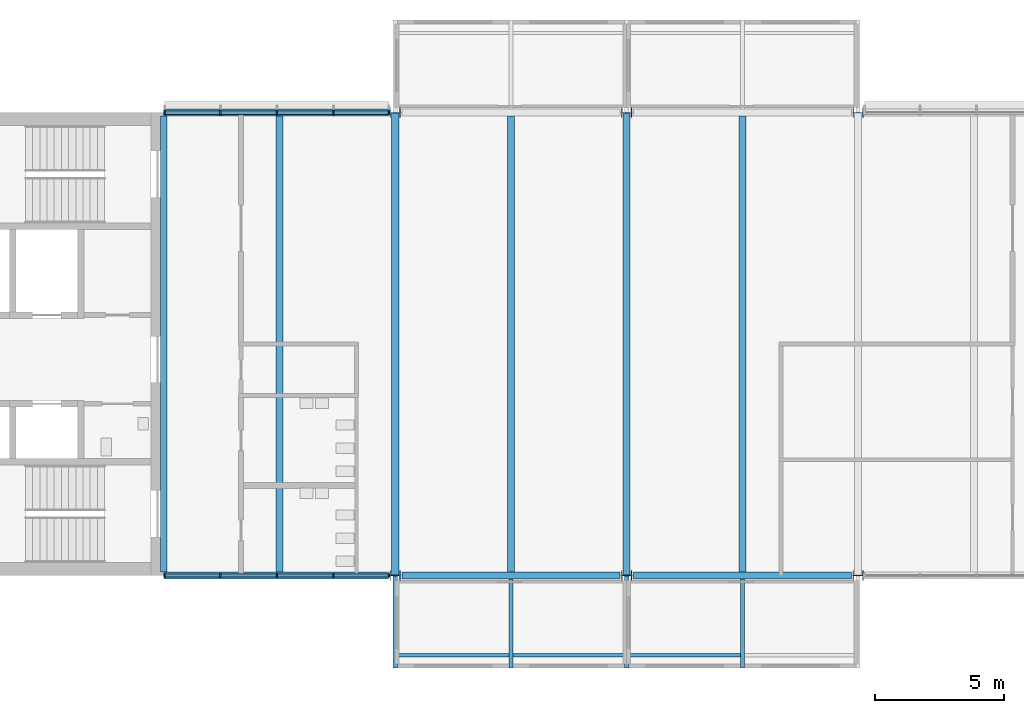
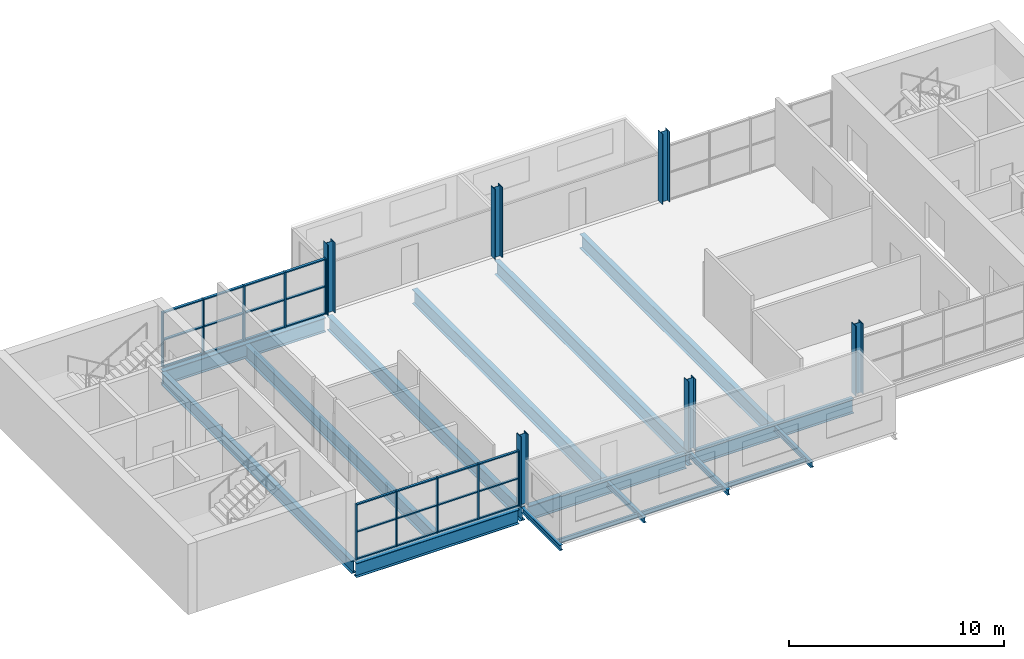
# One storey, part 1 of 10: 34 members, 17 beams, 6 columns, 2 elements without a shape of their own.
"""IFC4 building model written with IfcOpenShell, lengths in metres."""

import ifcopenshell
import ifcopenshell.guid

model = None  # the IFC model being written
_history = None  # IfcOwnerHistory: only IFC2X3 demands one
_inside = {}  # id of a spatial element -> (the spatial element, [elements in it])
_under = {}  # id of a project, library or spatial element -> (it, [spatial elements below it])
_declared = {}  # id of a project -> (the project, [libraries it declares])
_typed = {}  # id of a type object -> (the type object, [elements of that type])
_made_of = {}  # id of a material, layer set ... -> (it, [elements and type objects made of it])


def new_model(schema):
    """Start an empty IFC model of exactly this schema.

    Asked for "IFC4X3", IfcOpenShell would pick the latest addendum, in which some entities
    have other attributes; the version numbers below select the first issue.
    IFC2X3 requires an IfcOwnerHistory on every rooted entity: one is made here for all.
    """
    global model, _history
    if schema == "IFC4X3":
        model = ifcopenshell.file(schema_version=(4, 3, 0, 0))
    else:
        model = ifcopenshell.file(schema=schema)
    _inside.clear()
    _under.clear()
    _declared.clear()
    _typed.clear()
    _made_of.clear()
    _history = None
    if model.schema == "IFC2X3":
        org = make("IfcOrganization", Name="unknown")
        user = make(
            "IfcPersonAndOrganization",
            ThePerson=make("IfcPerson", FamilyName="unknown"),
            TheOrganization=org,
        )
        app = make(
            "IfcApplication",
            ApplicationDeveloper=org,
            Version="unknown",
            ApplicationFullName="unknown",
            ApplicationIdentifier="unknown",
        )
        _history = make(
            "IfcOwnerHistory",
            OwningUser=user,
            OwningApplication=app,
            ChangeAction="ADDED",
            CreationDate=0,
        )
    return model


def make(cls, **values):
    """One entity of the class cls with the attributes given. An attribute that is None is left unset."""
    return model.create_entity(
        cls, **{name: value for name, value in values.items() if value is not None}
    )


def rooted(cls, **values):
    """An entity with a GlobalId (a new one), such as an element, a storey or a relation."""
    return make(cls, GlobalId=ifcopenshell.guid.new(), OwnerHistory=_history, **values)


def si_unit(unit_type, name, prefix=None):
    """IfcSIUnit, for example si_unit("LENGTHUNIT", "METRE", prefix="MILLI")."""
    return make("IfcSIUnit", UnitType=unit_type, Prefix=prefix, Name=name)


def assignment(units):
    """IfcUnitAssignment: the units of a project."""
    return None if units is None else make("IfcUnitAssignment", Units=units)


def point(xyz):
    """IfcCartesianPoint."""
    return None if xyz is None else make("IfcCartesianPoint", Coordinates=xyz)


def direction(xyz):
    """IfcDirection."""
    return None if xyz is None else make("IfcDirection", DirectionRatios=xyz)


def frame(location, z_axis=None, x_axis=None):
    """IfcAxis2Placement3D, a coordinate frame: its origin and axes. An axis left out is left unset."""
    return make(
        "IfcAxis2Placement3D",
        Location=point(location),
        Axis=direction(z_axis),
        RefDirection=direction(x_axis),
    )


def frame_2d(location, x_axis=None):
    """IfcAxis2Placement2D, a coordinate frame in the plane: its origin and x axis."""
    return make(
        "IfcAxis2Placement2D", Location=point(location), RefDirection=direction(x_axis)
    )


def origin():
    """The frame at (0, 0, 0) with its axes left unset."""
    return frame((0.0, 0.0, 0.0))


def origin_2d():
    """The frame at (0, 0) in the plane with its x axis left unset."""
    return frame_2d((0.0, 0.0))


def place(relative_to, where):
    """IfcLocalPlacement: puts the frame where relative to a parent placement (None: the world)."""
    return make(
        "IfcLocalPlacement", PlacementRelTo=relative_to, RelativePlacement=where
    )


def context(
    kind, dimensions, precision=None, world=None, true_north=None, identifier=None
):
    """IfcGeometricRepresentationContext, for example the 3D "Model" context."""
    return make(
        "IfcGeometricRepresentationContext",
        ContextIdentifier=identifier,
        ContextType=kind,
        CoordinateSpaceDimension=dimensions,
        Precision=precision,
        WorldCoordinateSystem=world,
        TrueNorth=true_north,
    )


def subcontext(parent, identifier, kind, view, scale=None):
    """IfcGeometricRepresentationSubContext, for example "Body" below "Model"."""
    return make(
        "IfcGeometricRepresentationSubContext",
        ContextIdentifier=identifier,
        ContextType=kind,
        ParentContext=parent,
        TargetScale=scale,
        TargetView=view,
    )


def project(units=None, contexts=None):
    """IfcProject with its units and contexts."""
    return rooted(
        "IfcProject",
        Name="project",
        RepresentationContexts=contexts,
        UnitsInContext=assignment(units),
    )


def spatial(cls, under=None, at=None, **own):
    """A site, building, storey or space (cls), placed at a placement, below another one or the project."""
    s = rooted(cls, ObjectPlacement=at, **own)
    if under is not None:
        _under.setdefault(under.id(), (under, []))[1].append(s)
    return s


def profile(cls, at=None, kind="AREA", **sizes):
    """A parametric profile (cls). Its sizes go by their IFC names, for example OverallWidth=200.0."""
    return make(cls, ProfileType=kind, Position=at, **sizes)


def rectangle(**sizes):
    """IfcRectangleProfileDef."""
    return profile("IfcRectangleProfileDef", **sizes)


def i_section(**sizes):
    """IfcIShapeProfileDef."""
    return profile("IfcIShapeProfileDef", **sizes)


def extrude(swept, where, along, depth):
    """IfcExtrudedAreaSolid: the profile swept, set in the frame where, extruded along a direction by depth."""
    return make(
        "IfcExtrudedAreaSolid",
        SweptArea=swept,
        Position=where,
        ExtrudedDirection=direction(along),
        Depth=depth,
    )


def shape(context_of_items, identifier, shape_type, items):
    """IfcShapeRepresentation: the items that make up one representation, for example the "Body"."""
    return make(
        "IfcShapeRepresentation",
        ContextOfItems=context_of_items,
        RepresentationIdentifier=identifier,
        RepresentationType=shape_type,
        Items=items,
    )


def material(Name=None, Category=None):
    """IfcMaterial."""
    return make("IfcMaterial", Name=Name, Category=Category)


def layer(
    of_material, thickness, ventilated=None, Name=None, Category=None, Priority=None
):
    """IfcMaterialLayer: one layer of a wall or slab, of a material (None: an air gap)."""
    return make(
        "IfcMaterialLayer",
        Material=of_material,
        LayerThickness=thickness,
        IsVentilated=ventilated,
        Name=Name,
        Category=Category,
        Priority=Priority,
    )


def layer_set(layers, Name=None):
    """IfcMaterialLayerSet."""
    return make("IfcMaterialLayerSet", MaterialLayers=layers, LayerSetName=Name)


def material_profile(
    of_material, cross_section, Name=None, Category=None, Priority=None
):
    """IfcMaterialProfile: a cross section and its material."""
    return make(
        "IfcMaterialProfile",
        Name=Name,
        Material=of_material,
        Profile=cross_section,
        Priority=Priority,
        Category=Category,
    )


def profile_set(profiles, Name=None, composite=None):
    """IfcMaterialProfileSet."""
    return make(
        "IfcMaterialProfileSet",
        Name=Name,
        MaterialProfiles=profiles,
        CompositeProfile=composite,
    )


def made_of(thing, what):
    """Note that an element or type object is made of a material, layer set ...; save() writes the relation."""
    if what is not None:
        _made_of.setdefault(what.id(), (what, []))[1].append(thing)
    return thing


def type_object(cls, material=None, **own):
    """A type object (cls), such as IfcWallType, which elements share."""
    return made_of(rooted(cls, **own), material)


def element(
    cls,
    number,
    at=None,
    inside=None,
    cuts=None,
    type_object=None,
    material=None,
    context=None,
    identifier="Body",
    shape_type=None,
    held_by="IfcProductDefinitionShape",
    body=None,
    shapes=None,
    **own,
):
    """One element of the class cls, such as IfcWall. Its Tag is "e" and its number.

    at: its placement. inside: the storey or other place that contains it. cuts: it is an
    opening in that element (IfcRelVoidsElement). A single representation is given by context,
    identifier, shape_type and body (its items); several are given by shapes. held_by: the class
    of the entity that holds the representations. save() writes the other relations.
    """
    e = rooted(cls, Tag="e%d" % number, ObjectPlacement=at, **own)
    if body is not None:
        shapes = [shape(context, identifier, shape_type, body)]
    if shapes is not None:
        e.Representation = make(held_by, Representations=shapes)
    if inside is not None:
        _inside.setdefault(inside.id(), (inside, []))[1].append(e)
    if cuts is not None:
        rooted(
            "IfcRelVoidsElement", RelatingBuildingElement=cuts, RelatedOpeningElement=e
        )
    if type_object is not None:
        _typed.setdefault(type_object.id(), (type_object, []))[1].append(e)
    return made_of(e, material)


def aggregate(whole, parts):
    """IfcRelAggregates: a whole, such as a stair, and the parts it consists of."""
    return rooted("IfcRelAggregates", RelatingObject=whole, RelatedObjects=parts)


def save(model, path):
    """Write the relations noted so far, then the file.

    IfcRelAggregates (storeys below a building ...), IfcRelContainedInSpatialStructure (elements
    in a storey), IfcRelDefinesByType, IfcRelAssociatesMaterial and IfcRelDeclares: one each for
    every whole, place, type object, material and project.
    """
    for whole, parts in _under.values():
        aggregate(whole, parts)
    for where, things in _inside.values():
        rooted(
            "IfcRelContainedInSpatialStructure",
            RelatedElements=things,
            RelatingStructure=where,
        )
    for kind, things in _typed.values():
        rooted("IfcRelDefinesByType", RelatedObjects=things, RelatingType=kind)
    for what, things in _made_of.values():
        rooted("IfcRelAssociatesMaterial", RelatedObjects=things, RelatingMaterial=what)
    for by, libraries in _declared.values():
        rooted("IfcRelDeclares", RelatingContext=by, RelatedDefinitions=libraries)
    model.write(path)


model = new_model("IFC4")

# Units and contexts
model_context = context("Model", 3, precision=1e-05, world=origin(), true_north=direction((0.0, 1.0)))
body_context = subcontext(model_context, "Body", "Model", "MODEL_VIEW")
ifc_project = project(units=[si_unit("LENGTHUNIT", "METRE"), si_unit("AREAUNIT", "SQUARE_METRE"), si_unit("VOLUMEUNIT", "CUBIC_METRE"), si_unit("PLANEANGLEUNIT", "RADIAN"), si_unit("MASSUNIT", "GRAM", prefix="KILO")], contexts=[model_context])

# Site, building, storey
site_placement = place(None, origin())
site = spatial("IfcSite", under=ifc_project, at=site_placement, CompositionType="ELEMENT")
building_placement = place(site_placement, origin())
building = spatial("IfcBuilding", under=site, at=building_placement, Name="Corbel Yard City Hall", CompositionType="ELEMENT")
storey_placement = place(building_placement, frame((0.0, 0.0, 27.199951171875)))
storey = spatial("IfcBuildingStorey", under=building, at=storey_placement, Name="L06", CompositionType="ELEMENT", Elevation=27.199951171875)

# Columns
ifc_material_1 = material(Name="Steel Grade 350", Category="steel")
ifc_material_profile_1 = material_profile(ifc_material_1, i_section(OverallWidth=0.39990234375, OverallDepth=0.4140625, WebThickness=0.02490234375, FlangeThickness=0.031982421875, at=origin_2d()), Name="400WC270")
ifc_profile_set_1 = profile_set([ifc_material_profile_1], Name="Steel Grade 350")
column_type = type_object("IfcColumnType", Name="Column 400WC270", PredefinedType="COLUMN", material=ifc_profile_set_1)
for number, where, z_axis, x_axis, name in (
    (1, (18.0, 99.0, 0.0), (0.0, 0.0, 1.0), (0.0, 1.0, 0.0), "Column 400WC270 L/3 L06"),
    (2, (18.0, 117.0, 0.0), (0.0, 0.0, 1.0), (0.0, 1.0, 0.0), "Column 400WC270 N/3 L06"),
    (3, (27.0, 99.0, 0.0), (0.0, 0.0, 1.0), (0.0, 1.0, 0.0), "Column 400WC270 L/4 L06"),
    (4, (27.0, 117.0, 0.0), (0.0, 0.0, 1.0), (0.0, 1.0, 0.0), "Column 400WC270 N/4 L06"),
    (5, (36.0, 99.0, 0.0), (0.0, 0.0, 1.0), (0.0, 1.0, 0.0), "Column 400WC270 L/5 L06"),
    (6, (36.0, 117.0, 0.0), (0.0, 0.0, 1.0), (0.0, 1.0, 0.0), "Column 400WC270 N/5 L06"),
):
    element("IfcColumn", number, at=place(storey_placement, frame(where, z_axis=z_axis, x_axis=x_axis)), inside=storey, type_object=column_type, Name=name, PredefinedType="COLUMN", context=body_context, shape_type="SweptSolid", body=[
        extrude(i_section(OverallWidth=0.39990234375, OverallDepth=0.4140625, WebThickness=0.02490234375, FlangeThickness=0.031982421875, at=origin_2d()), origin(), (0.0, 0.0, 1.0), 4.0),
    ])

# Beams
ifc_material_profile_2 = material_profile(ifc_material_1, i_section(OverallWidth=0.27490234375, OverallDepth=0.81005859375, WebThickness=0.010009765625, FlangeThickness=0.02490234375, at=origin_2d()), Name="800WB168")
ifc_profile_set_2 = profile_set([ifc_material_profile_2], Name="Steel Grade 350")
beam_type_1 = type_object("IfcBeamType", Name="Edge beam 800WB168", PredefinedType="BEAM", material=ifc_profile_set_2)
beam_1_placement = place(storey_placement, frame((9.0, 99.0, -0.554931640625), z_axis=(1.0, 0.0, 0.0), x_axis=(0.0, 1.0, 0.0)))
element("IfcBeam", 7, at=beam_1_placement, inside=storey, type_object=beam_type_1, Name="Edge beam 800WB168 EB3 L06tower", PredefinedType="BEAM", context=body_context, shape_type="SweptSolid", body=[
    extrude(i_section(OverallWidth=0.27490234375, OverallDepth=0.81005859375, WebThickness=0.010009765625, FlangeThickness=0.02490234375, at=origin_2d()), origin(), (0.0, 0.0, 1.0), 8.742919921875),
])
for number, where, z_axis, x_axis, name in (
    (8, (18.257080078125, 99.0, -0.554931640625), (1.0, 0.0, 0.0), (0.0, 1.0, 0.0), "Edge beam 800WB168 EB3 L06tower"),
    (9, (27.257080078125, 99.0, -0.554931640625), (1.0, 0.0, 0.0), (0.0, 1.0, 0.0), "Edge beam 800WB168 EB3 L06tower"),
):
    element("IfcBeam", number, at=place(storey_placement, frame(where, z_axis=z_axis, x_axis=x_axis)), inside=storey, type_object=beam_type_1, Name=name, PredefinedType="BEAM", context=body_context, shape_type="SweptSolid", body=[
        extrude(i_section(OverallWidth=0.27490234375, OverallDepth=0.81005859375, WebThickness=0.010009765625, FlangeThickness=0.02490234375, at=origin_2d()), origin(), (0.0, 0.0, 1.0), 8.48583984375),
    ])
beam_2_placement = place(storey_placement, frame((9.0, 117.0, -0.554931640625), z_axis=(1.0, 0.0, 0.0), x_axis=(0.0, 1.0, 0.0)))
element("IfcBeam", 10, at=beam_2_placement, inside=storey, type_object=beam_type_1, Name="Edge beam 800WB168 EB3 L06tower", PredefinedType="BEAM", context=body_context, shape_type="SweptSolid", body=[
    extrude(i_section(OverallWidth=0.27490234375, OverallDepth=0.81005859375, WebThickness=0.010009765625, FlangeThickness=0.02490234375, at=origin_2d()), origin(), (0.0, 0.0, 1.0), 8.742919921875),
])
ifc_material_profile_3 = material_profile(ifc_material_1, i_section(OverallWidth=0.27490234375, OverallDepth=0.800048828125, WebThickness=0.010009765625, FlangeThickness=0.02001953125, at=origin_2d()), Name="800WB146")
ifc_profile_set_3 = profile_set([ifc_material_profile_3], Name="Steel Grade 350")
beam_type_2 = type_object("IfcBeamType", Name="Long-span beam 800WB146", PredefinedType="BEAM", material=ifc_profile_set_3)
for number, where, z_axis, x_axis, name in (
    (11, (18.0, 99.012451171875, -0.550048828125), (0.0, 1.0, 0.0), (-1.0, 0.0, 0.0), "Long-span beam 800WB146 SB8 L06tower"),
    (12, (27.0, 99.012451171875, -0.550048828125), (0.0, 1.0, 0.0), (-1.0, 0.0, 0.0), "Long-span beam 800WB146 SB8 L06tower"),
):
    element("IfcBeam", number, at=place(storey_placement, frame(where, z_axis=z_axis, x_axis=x_axis)), inside=storey, type_object=beam_type_2, Name=name, PredefinedType="BEAM", context=body_context, shape_type="SweptSolid", body=[
        extrude(i_section(OverallWidth=0.27490234375, OverallDepth=0.800048828125, WebThickness=0.010009765625, FlangeThickness=0.02001953125, at=origin_2d()), origin(), (0.0, 0.0, 1.0), 17.97509765625),
    ])
ifc_material_profile_4 = material_profile(ifc_material_1, i_section(OverallWidth=0.25, OverallDepth=0.7099609375, WebThickness=0.010009765625, FlangeThickness=0.02490234375, at=origin_2d()), Name="700WB150")
ifc_profile_set_4 = profile_set([ifc_material_profile_4], Name="Steel Grade 350")
beam_type_3 = type_object("IfcBeamType", Name="Long-span edge beam 700WB150", PredefinedType="BEAM", material=ifc_profile_set_4)
beam_3_placement = place(storey_placement, frame((9.0, 99.137451171875, -0.5048828125), z_axis=(0.0, 1.0, 0.0), x_axis=(-1.0, 0.0, 0.0)))
element("IfcBeam", 13, at=beam_3_placement, inside=storey, type_object=beam_type_3, Name="Long-span edge beam 700WB150 EB8 L06tower", PredefinedType="BEAM", context=body_context, shape_type="SweptSolid", body=[
    extrude(i_section(OverallWidth=0.25, OverallDepth=0.7099609375, WebThickness=0.010009765625, FlangeThickness=0.02490234375, at=origin_2d()), origin(), (0.0, 0.0, 1.0), 17.72509765625),
])
ifc_material_profile_5 = material_profile(ifc_material_1, i_section(OverallWidth=0.27490234375, OverallDepth=0.800048828125, WebThickness=0.010009765625, FlangeThickness=0.02001953125, at=origin_2d()), Name="800WB146")
ifc_profile_set_5 = profile_set([ifc_material_profile_5], Name="Steel Grade 350")
beam_type_4 = type_object("IfcBeamType", Name="Long-span secondary beam 800WB146", PredefinedType="JOIST", material=ifc_profile_set_5)
for number, where, z_axis, x_axis, name in (
    (14, (13.5, 99.137451171875, -0.550048828125), (0.0, 1.0, 0.0), (-1.0, 0.0, 0.0), "Long-span secondary beam 800WB146 SB7 L06tower"),
    (15, (22.5, 99.137451171875, -0.550048828125), (0.0, 1.0, 0.0), (-1.0, 0.0, 0.0), "Long-span secondary beam 800WB146 SB7 L06tower"),
    (16, (31.5, 99.137451171875, -0.550048828125), (0.0, 1.0, 0.0), (-1.0, 0.0, 0.0), "Long-span secondary beam 800WB146 SB7 L06tower"),
):
    element("IfcBeam", number, at=place(storey_placement, frame(where, z_axis=z_axis, x_axis=x_axis)), inside=storey, type_object=beam_type_4, Name=name, PredefinedType="JOIST", context=body_context, shape_type="SweptSolid", body=[
        extrude(i_section(OverallWidth=0.27490234375, OverallDepth=0.800048828125, WebThickness=0.010009765625, FlangeThickness=0.02001953125, at=origin_2d()), origin(), (0.0, 0.0, 1.0), 17.72509765625),
    ])

# Curtain wall, members
ifc_material_2 = material(Name="Aluminium extrusion", Category="aluminium")
ifc_layer_1 = layer(ifc_material_2, 0.14990234375)
ifc_layer_set_1 = layer_set([ifc_layer_1], Name="Aluminium extrusion")
curtain_wall_type_1 = type_object("IfcCurtainWallType", Name="CW2", PredefinedType="USERDEFINED", material=ifc_layer_set_1)
curtain_wall_1_placement = place(storey_placement, origin())
curtain_wall_1 = element("IfcCurtainWall", 17, at=curtain_wall_1_placement, inside=storey, type_object=curtain_wall_type_1, Name="Curtain wall CW2 L06", ObjectType="CURTAIN WALL", PredefinedType="USERDEFINED")
ifc_material_profile_6 = material_profile(ifc_material_2, rectangle(XDim=0.14990234375, YDim=0.06494140625, at=origin_2d()), Name="150x65")
ifc_profile_set_6 = profile_set([ifc_material_profile_6], Name="Aluminium extrusion")
member_type_1 = type_object("IfcMemberType", Name="ML2", PredefinedType="MULLION", material=ifc_profile_set_6)
member_1_placement = place(storey_placement, frame((9.032470703125, 99.0, 0.0), z_axis=(0.0, 0.0, 1.0), x_axis=(0.0, 1.0, 0.0)))
member_1 = element("IfcMember", 18, at=member_1_placement, type_object=member_type_1, Name="CW2 mullion 1", PredefinedType="MULLION", context=body_context, shape_type="SweptSolid", body=[
    extrude(rectangle(XDim=0.14990234375, YDim=0.06494140625, at=origin_2d()), origin(), (0.0, 0.0, 1.0), 3.150146484375),
])
member_2_placement = place(storey_placement, frame((11.1982421875, 99.0, 0.0), z_axis=(0.0, 0.0, 1.0), x_axis=(0.0, 1.0, 0.0)))
member_2 = element("IfcMember", 19, at=member_2_placement, type_object=member_type_1, Name="CW2 mullion 2", PredefinedType="MULLION", context=body_context, shape_type="SweptSolid", body=[
    extrude(rectangle(XDim=0.14990234375, YDim=0.06494140625, at=origin_2d()), origin(), (0.0, 0.0, 1.0), 3.150146484375),
])
member_3_placement = place(storey_placement, frame((13.396484375, 99.0, 0.0), z_axis=(0.0, 0.0, 1.0), x_axis=(0.0, 1.0, 0.0)))
member_3 = element("IfcMember", 20, at=member_3_placement, type_object=member_type_1, Name="CW2 mullion 3", PredefinedType="MULLION", context=body_context, shape_type="SweptSolid", body=[
    extrude(rectangle(XDim=0.14990234375, YDim=0.06494140625, at=origin_2d()), origin(), (0.0, 0.0, 1.0), 3.150146484375),
])
member_4_placement = place(storey_placement, frame((15.5947265625, 99.0, 0.0), z_axis=(0.0, 0.0, 1.0), x_axis=(0.0, 1.0, 0.0)))
member_4 = element("IfcMember", 21, at=member_4_placement, type_object=member_type_1, Name="CW2 mullion 4", PredefinedType="MULLION", context=body_context, shape_type="SweptSolid", body=[
    extrude(rectangle(XDim=0.14990234375, YDim=0.06494140625, at=origin_2d()), origin(), (0.0, 0.0, 1.0), 3.150146484375),
])
member_5_placement = place(storey_placement, frame((17.760498046875, 99.0, 0.0), z_axis=(0.0, 0.0, 1.0), x_axis=(0.0, 1.0, 0.0)))
member_5 = element("IfcMember", 22, at=member_5_placement, type_object=member_type_1, Name="CW2 mullion 5", PredefinedType="MULLION", context=body_context, shape_type="SweptSolid", body=[
    extrude(rectangle(XDim=0.14990234375, YDim=0.06494140625, at=origin_2d()), origin(), (0.0, 0.0, 1.0), 3.150146484375),
])

ifc_layer_2 = layer(ifc_material_2, 0.179931640625)
ifc_layer_set_2 = layer_set([ifc_layer_2], Name="Aluminium extrusion")
curtain_wall_type_2 = type_object("IfcCurtainWallType", Name="CW6", PredefinedType="USERDEFINED", material=ifc_layer_set_2)
curtain_wall_2_placement = place(storey_placement, origin())
curtain_wall_2 = element("IfcCurtainWall", 23, at=curtain_wall_2_placement, inside=storey, type_object=curtain_wall_type_2, Name="Curtain wall CW6 L06", ObjectType="CURTAIN WALL", PredefinedType="USERDEFINED")
ifc_material_profile_7 = material_profile(ifc_material_2, rectangle(XDim=0.179931640625, YDim=0.06494140625, at=origin_2d()), Name="180x65")
ifc_profile_set_7 = profile_set([ifc_material_profile_7], Name="Aluminium extrusion")
member_type_2 = type_object("IfcMemberType", Name="ML6", PredefinedType="MULLION", material=ifc_profile_set_7)
member_6_placement = place(storey_placement, frame((9.032470703125, 117.0, 0.0), z_axis=(0.0, 0.0, 1.0), x_axis=(0.0, 1.0, 0.0)))
member_6 = element("IfcMember", 24, at=member_6_placement, type_object=member_type_2, Name="CW6 mullion 1", PredefinedType="MULLION", context=body_context, shape_type="SweptSolid", body=[
    extrude(rectangle(XDim=0.179931640625, YDim=0.06494140625, at=origin_2d()), origin(), (0.0, 0.0, 1.0), 3.150146484375),
])
member_7_placement = place(storey_placement, frame((11.1982421875, 117.0, 0.0), z_axis=(0.0, 0.0, 1.0), x_axis=(0.0, 1.0, 0.0)))
member_7 = element("IfcMember", 25, at=member_7_placement, type_object=member_type_2, Name="CW6 mullion 2", PredefinedType="MULLION", context=body_context, shape_type="SweptSolid", body=[
    extrude(rectangle(XDim=0.179931640625, YDim=0.06494140625, at=origin_2d()), origin(), (0.0, 0.0, 1.0), 3.150146484375),
])
member_8_placement = place(storey_placement, frame((13.396484375, 117.0, 0.0), z_axis=(0.0, 0.0, 1.0), x_axis=(0.0, 1.0, 0.0)))
member_8 = element("IfcMember", 26, at=member_8_placement, type_object=member_type_2, Name="CW6 mullion 3", PredefinedType="MULLION", context=body_context, shape_type="SweptSolid", body=[
    extrude(rectangle(XDim=0.179931640625, YDim=0.06494140625, at=origin_2d()), origin(), (0.0, 0.0, 1.0), 3.150146484375),
])
member_9_placement = place(storey_placement, frame((15.5947265625, 117.0, 0.0), z_axis=(0.0, 0.0, 1.0), x_axis=(0.0, 1.0, 0.0)))
member_9 = element("IfcMember", 27, at=member_9_placement, type_object=member_type_2, Name="CW6 mullion 4", PredefinedType="MULLION", context=body_context, shape_type="SweptSolid", body=[
    extrude(rectangle(XDim=0.179931640625, YDim=0.06494140625, at=origin_2d()), origin(), (0.0, 0.0, 1.0), 3.150146484375),
])
member_10_placement = place(storey_placement, frame((17.760498046875, 117.0, 0.0), z_axis=(0.0, 0.0, 1.0), x_axis=(0.0, 1.0, 0.0)))
member_10 = element("IfcMember", 28, at=member_10_placement, type_object=member_type_2, Name="CW6 mullion 5", PredefinedType="MULLION", context=body_context, shape_type="SweptSolid", body=[
    extrude(rectangle(XDim=0.179931640625, YDim=0.06494140625, at=origin_2d()), origin(), (0.0, 0.0, 1.0), 3.150146484375),
])

# Beams
ifc_material_3 = material(Name="Steel Grade 300 (300 MPa yield)", Category="steel")
ifc_material_profile_8 = material_profile(ifc_material_3, i_section(OverallWidth=0.166015625, OverallDepth=0.306884765625, WebThickness=0.006591796875, FlangeThickness=0.01171875, at=origin_2d()), Name="310UB46.2")
ifc_profile_set_8 = profile_set([ifc_material_profile_8], Name="Steel Grade 300 (300 MPa yield)")
beam_type_5 = type_object("IfcBeamType", Name="Pod stub beam 310UB46.2", PredefinedType="BEAM", material=ifc_profile_set_8)
beam_4_placement = place(storey_placement, frame((18.0, 95.39990234375, -0.303466796875), z_axis=(0.0, 1.0, 0.0), x_axis=(-1.0, 0.0, 0.0)))
element("IfcBeam", 29, at=beam_4_placement, inside=storey, type_object=beam_type_5, Name="Pod stub 310UB46.2 CB1 L06", PredefinedType="BEAM", context=body_context, shape_type="SweptSolid", body=[
    extrude(i_section(OverallWidth=0.166015625, OverallDepth=0.306884765625, WebThickness=0.006591796875, FlangeThickness=0.01171875, at=origin_2d()), origin(), (0.0, 0.0, 1.0), 3.587646484375),
])
beam_5_placement = place(storey_placement, frame((22.5, 95.39990234375, -0.303466796875), z_axis=(0.0, 1.0, 0.0), x_axis=(-1.0, 0.0, 0.0)))
element("IfcBeam", 30, at=beam_5_placement, inside=storey, type_object=beam_type_5, Name="Pod stub 310UB46.2 CB1 L06", PredefinedType="BEAM", context=body_context, shape_type="SweptSolid", body=[
    extrude(i_section(OverallWidth=0.166015625, OverallDepth=0.306884765625, WebThickness=0.006591796875, FlangeThickness=0.01171875, at=origin_2d()), origin(), (0.0, 0.0, 1.0), 3.462646484375),
])
beam_6_placement = place(storey_placement, frame((27.0, 95.39990234375, -0.303466796875), z_axis=(0.0, 1.0, 0.0), x_axis=(-1.0, 0.0, 0.0)))
element("IfcBeam", 31, at=beam_6_placement, inside=storey, type_object=beam_type_5, Name="Pod stub 310UB46.2 CB1 L06", PredefinedType="BEAM", context=body_context, shape_type="SweptSolid", body=[
    extrude(i_section(OverallWidth=0.166015625, OverallDepth=0.306884765625, WebThickness=0.006591796875, FlangeThickness=0.01171875, at=origin_2d()), origin(), (0.0, 0.0, 1.0), 3.587646484375),
])
beam_7_placement = place(storey_placement, frame((31.5, 95.39990234375, -0.303466796875), z_axis=(0.0, 1.0, 0.0), x_axis=(-1.0, 0.0, 0.0)))
element("IfcBeam", 32, at=beam_7_placement, inside=storey, type_object=beam_type_5, Name="Pod stub 310UB46.2 CB1 L06", PredefinedType="BEAM", context=body_context, shape_type="SweptSolid", body=[
    extrude(i_section(OverallWidth=0.166015625, OverallDepth=0.306884765625, WebThickness=0.006591796875, FlangeThickness=0.01171875, at=origin_2d()), origin(), (0.0, 0.0, 1.0), 3.462646484375),
])
ifc_material_profile_9 = material_profile(ifc_material_3, i_section(OverallWidth=0.1240234375, OverallDepth=0.248046875, WebThickness=0.0048828125, FlangeThickness=0.008056640625, at=origin_2d()), Name="250UB25.7")
ifc_profile_set_9 = profile_set([ifc_material_profile_9], Name="Steel Grade 300 (300 MPa yield)")
beam_type_6 = type_object("IfcBeamType", Name="Pod tip beam", PredefinedType="BEAM", material=ifc_profile_set_9)
for number, where, z_axis, x_axis, name in (
    (33, (18.0830078125, 95.89990234375, -0.27392578125), (1.0, 0.0, 0.0), (0.0, 1.0, 0.0), "Pod tip beam"),
    (34, (22.5830078125, 95.89990234375, -0.27392578125), (1.0, 0.0, 0.0), (0.0, 1.0, 0.0), "Pod tip beam"),
    (35, (27.0830078125, 95.89990234375, -0.27392578125), (1.0, 0.0, 0.0), (0.0, 1.0, 0.0), "Pod tip beam"),
):
    element("IfcBeam", number, at=place(storey_placement, frame(where, z_axis=z_axis, x_axis=x_axis)), inside=storey, type_object=beam_type_6, Name=name, PredefinedType="BEAM", context=body_context, shape_type="SweptSolid", body=[
        extrude(i_section(OverallWidth=0.1240234375, OverallDepth=0.248046875, WebThickness=0.0048828125, FlangeThickness=0.008056640625, at=origin_2d()), origin(), (0.0, 0.0, 1.0), 4.333984375),
    ])

# Member
ifc_material_profile_10 = material_profile(ifc_material_2, rectangle(XDim=0.1201171875, YDim=0.06494140625, at=origin_2d()), Name="120x65")
ifc_profile_set_10 = profile_set([ifc_material_profile_10], Name="Aluminium extrusion")
member_type_3 = type_object("IfcMemberType", Name="TR2", PredefinedType="USERDEFINED", material=ifc_profile_set_10)
member_11_placement = place(storey_placement, frame((9.06494140625, 99.0, 0.032470703125), z_axis=(1.0, 0.0, 0.0), x_axis=(0.0, 1.0, 0.0)))
member_11 = element("IfcMember", 36, at=member_11_placement, type_object=member_type_3, Name="CW2 transom 1.1", ObjectType="TRANSOM", PredefinedType="USERDEFINED", context=body_context, shape_type="SweptSolid", body=[
    extrude(rectangle(XDim=0.1201171875, YDim=0.06494140625, at=origin_2d()), origin(), (0.0, 0.0, 1.0), 2.100830078125),
])

member_12_placement = place(storey_placement, frame((9.06494140625, 99.0, 1.574951171875), z_axis=(1.0, 0.0, 0.0), x_axis=(0.0, 1.0, 0.0)))
member_12 = element("IfcMember", 37, at=member_12_placement, type_object=member_type_3, Name="CW2 transom 1.2", ObjectType="TRANSOM", PredefinedType="USERDEFINED", context=body_context, shape_type="SweptSolid", body=[
    extrude(rectangle(XDim=0.1201171875, YDim=0.06494140625, at=origin_2d()), origin(), (0.0, 0.0, 1.0), 2.100830078125),
])

member_13_placement = place(storey_placement, frame((9.06494140625, 99.0, 3.117431640625), z_axis=(1.0, 0.0, 0.0), x_axis=(0.0, 1.0, 0.0)))
member_13 = element("IfcMember", 38, at=member_13_placement, type_object=member_type_3, Name="CW2 transom 1.3", ObjectType="TRANSOM", PredefinedType="USERDEFINED", context=body_context, shape_type="SweptSolid", body=[
    extrude(rectangle(XDim=0.1201171875, YDim=0.06494140625, at=origin_2d()), origin(), (0.0, 0.0, 1.0), 2.100830078125),
])

member_14_placement = place(storey_placement, frame((11.230712890625, 99.0, 0.032470703125), z_axis=(1.0, 0.0, 0.0), x_axis=(0.0, 1.0, 0.0)))
member_14 = element("IfcMember", 39, at=member_14_placement, type_object=member_type_3, Name="CW2 transom 2.1", ObjectType="TRANSOM", PredefinedType="USERDEFINED", context=body_context, shape_type="SweptSolid", body=[
    extrude(rectangle(XDim=0.1201171875, YDim=0.06494140625, at=origin_2d()), origin(), (0.0, 0.0, 1.0), 2.13330078125),
])

member_15_placement = place(storey_placement, frame((11.230712890625, 99.0, 1.574951171875), z_axis=(1.0, 0.0, 0.0), x_axis=(0.0, 1.0, 0.0)))
member_15 = element("IfcMember", 40, at=member_15_placement, type_object=member_type_3, Name="CW2 transom 2.2", ObjectType="TRANSOM", PredefinedType="USERDEFINED", context=body_context, shape_type="SweptSolid", body=[
    extrude(rectangle(XDim=0.1201171875, YDim=0.06494140625, at=origin_2d()), origin(), (0.0, 0.0, 1.0), 2.13330078125),
])

member_16_placement = place(storey_placement, frame((11.230712890625, 99.0, 3.117431640625), z_axis=(1.0, 0.0, 0.0), x_axis=(0.0, 1.0, 0.0)))
member_16 = element("IfcMember", 41, at=member_16_placement, type_object=member_type_3, Name="CW2 transom 2.3", ObjectType="TRANSOM", PredefinedType="USERDEFINED", context=body_context, shape_type="SweptSolid", body=[
    extrude(rectangle(XDim=0.1201171875, YDim=0.06494140625, at=origin_2d()), origin(), (0.0, 0.0, 1.0), 2.13330078125),
])

member_17_placement = place(storey_placement, frame((13.428955078125, 99.0, 0.032470703125), z_axis=(1.0, 0.0, 0.0), x_axis=(0.0, 1.0, 0.0)))
member_17 = element("IfcMember", 42, at=member_17_placement, type_object=member_type_3, Name="CW2 transom 3.1", ObjectType="TRANSOM", PredefinedType="USERDEFINED", context=body_context, shape_type="SweptSolid", body=[
    extrude(rectangle(XDim=0.1201171875, YDim=0.06494140625, at=origin_2d()), origin(), (0.0, 0.0, 1.0), 2.13330078125),
])

member_18_placement = place(storey_placement, frame((13.428955078125, 99.0, 1.574951171875), z_axis=(1.0, 0.0, 0.0), x_axis=(0.0, 1.0, 0.0)))
member_18 = element("IfcMember", 43, at=member_18_placement, type_object=member_type_3, Name="CW2 transom 3.2", ObjectType="TRANSOM", PredefinedType="USERDEFINED", context=body_context, shape_type="SweptSolid", body=[
    extrude(rectangle(XDim=0.1201171875, YDim=0.06494140625, at=origin_2d()), origin(), (0.0, 0.0, 1.0), 2.13330078125),
])

member_19_placement = place(storey_placement, frame((13.428955078125, 99.0, 3.117431640625), z_axis=(1.0, 0.0, 0.0), x_axis=(0.0, 1.0, 0.0)))
member_19 = element("IfcMember", 44, at=member_19_placement, type_object=member_type_3, Name="CW2 transom 3.3", ObjectType="TRANSOM", PredefinedType="USERDEFINED", context=body_context, shape_type="SweptSolid", body=[
    extrude(rectangle(XDim=0.1201171875, YDim=0.06494140625, at=origin_2d()), origin(), (0.0, 0.0, 1.0), 2.13330078125),
])

member_20_placement = place(storey_placement, frame((15.627197265625, 99.0, 0.032470703125), z_axis=(1.0, 0.0, 0.0), x_axis=(0.0, 1.0, 0.0)))
member_20 = element("IfcMember", 45, at=member_20_placement, type_object=member_type_3, Name="CW2 transom 4.1", ObjectType="TRANSOM", PredefinedType="USERDEFINED", context=body_context, shape_type="SweptSolid", body=[
    extrude(rectangle(XDim=0.1201171875, YDim=0.06494140625, at=origin_2d()), origin(), (0.0, 0.0, 1.0), 2.100830078125),
])

member_21_placement = place(storey_placement, frame((15.627197265625, 99.0, 1.574951171875), z_axis=(1.0, 0.0, 0.0), x_axis=(0.0, 1.0, 0.0)))
member_21 = element("IfcMember", 46, at=member_21_placement, type_object=member_type_3, Name="CW2 transom 4.2", ObjectType="TRANSOM", PredefinedType="USERDEFINED", context=body_context, shape_type="SweptSolid", body=[
    extrude(rectangle(XDim=0.1201171875, YDim=0.06494140625, at=origin_2d()), origin(), (0.0, 0.0, 1.0), 2.100830078125),
])

member_22_placement = place(storey_placement, frame((15.627197265625, 99.0, 3.117431640625), z_axis=(1.0, 0.0, 0.0), x_axis=(0.0, 1.0, 0.0)))
member_22 = element("IfcMember", 47, at=member_22_placement, type_object=member_type_3, Name="CW2 transom 4.3", ObjectType="TRANSOM", PredefinedType="USERDEFINED", context=body_context, shape_type="SweptSolid", body=[
    extrude(rectangle(XDim=0.1201171875, YDim=0.06494140625, at=origin_2d()), origin(), (0.0, 0.0, 1.0), 2.100830078125),
])

aggregate(curtain_wall_1, [member_1, member_2, member_3, member_4, member_5, member_11, member_12, member_13, member_14, member_15, member_16, member_17, member_18, member_19, member_20, member_21, member_22])

ifc_material_profile_11 = material_profile(ifc_material_2, rectangle(XDim=0.139892578125, YDim=0.06494140625, at=origin_2d()), Name="140x65")
ifc_profile_set_11 = profile_set([ifc_material_profile_11], Name="Aluminium extrusion")
member_type_4 = type_object("IfcMemberType", Name="TR6", PredefinedType="USERDEFINED", material=ifc_profile_set_11)
member_23_placement = place(storey_placement, frame((9.06494140625, 117.0, 0.032470703125), z_axis=(1.0, 0.0, 0.0), x_axis=(0.0, 1.0, 0.0)))
member_23 = element("IfcMember", 48, at=member_23_placement, type_object=member_type_4, Name="CW6 transom 1.1", ObjectType="TRANSOM", PredefinedType="USERDEFINED", context=body_context, shape_type="SweptSolid", body=[
    extrude(rectangle(XDim=0.139892578125, YDim=0.06494140625, at=origin_2d()), origin(), (0.0, 0.0, 1.0), 2.100830078125),
])

member_24_placement = place(storey_placement, frame((9.06494140625, 117.0, 1.574951171875), z_axis=(1.0, 0.0, 0.0), x_axis=(0.0, 1.0, 0.0)))
member_24 = element("IfcMember", 49, at=member_24_placement, type_object=member_type_4, Name="CW6 transom 1.2", ObjectType="TRANSOM", PredefinedType="USERDEFINED", context=body_context, shape_type="SweptSolid", body=[
    extrude(rectangle(XDim=0.139892578125, YDim=0.06494140625, at=origin_2d()), origin(), (0.0, 0.0, 1.0), 2.100830078125),
])

member_25_placement = place(storey_placement, frame((9.06494140625, 117.0, 3.117431640625), z_axis=(1.0, 0.0, 0.0), x_axis=(0.0, 1.0, 0.0)))
member_25 = element("IfcMember", 50, at=member_25_placement, type_object=member_type_4, Name="CW6 transom 1.3", ObjectType="TRANSOM", PredefinedType="USERDEFINED", context=body_context, shape_type="SweptSolid", body=[
    extrude(rectangle(XDim=0.139892578125, YDim=0.06494140625, at=origin_2d()), origin(), (0.0, 0.0, 1.0), 2.100830078125),
])

member_26_placement = place(storey_placement, frame((11.230712890625, 117.0, 0.032470703125), z_axis=(1.0, 0.0, 0.0), x_axis=(0.0, 1.0, 0.0)))
member_26 = element("IfcMember", 51, at=member_26_placement, type_object=member_type_4, Name="CW6 transom 2.1", ObjectType="TRANSOM", PredefinedType="USERDEFINED", context=body_context, shape_type="SweptSolid", body=[
    extrude(rectangle(XDim=0.139892578125, YDim=0.06494140625, at=origin_2d()), origin(), (0.0, 0.0, 1.0), 2.13330078125),
])

member_27_placement = place(storey_placement, frame((11.230712890625, 117.0, 1.574951171875), z_axis=(1.0, 0.0, 0.0), x_axis=(0.0, 1.0, 0.0)))
member_27 = element("IfcMember", 52, at=member_27_placement, type_object=member_type_4, Name="CW6 transom 2.2", ObjectType="TRANSOM", PredefinedType="USERDEFINED", context=body_context, shape_type="SweptSolid", body=[
    extrude(rectangle(XDim=0.139892578125, YDim=0.06494140625, at=origin_2d()), origin(), (0.0, 0.0, 1.0), 2.13330078125),
])

member_28_placement = place(storey_placement, frame((11.230712890625, 117.0, 3.117431640625), z_axis=(1.0, 0.0, 0.0), x_axis=(0.0, 1.0, 0.0)))
member_28 = element("IfcMember", 53, at=member_28_placement, type_object=member_type_4, Name="CW6 transom 2.3", ObjectType="TRANSOM", PredefinedType="USERDEFINED", context=body_context, shape_type="SweptSolid", body=[
    extrude(rectangle(XDim=0.139892578125, YDim=0.06494140625, at=origin_2d()), origin(), (0.0, 0.0, 1.0), 2.13330078125),
])

member_29_placement = place(storey_placement, frame((13.428955078125, 117.0, 0.032470703125), z_axis=(1.0, 0.0, 0.0), x_axis=(0.0, 1.0, 0.0)))
member_29 = element("IfcMember", 54, at=member_29_placement, type_object=member_type_4, Name="CW6 transom 3.1", ObjectType="TRANSOM", PredefinedType="USERDEFINED", context=body_context, shape_type="SweptSolid", body=[
    extrude(rectangle(XDim=0.139892578125, YDim=0.06494140625, at=origin_2d()), origin(), (0.0, 0.0, 1.0), 2.13330078125),
])

member_30_placement = place(storey_placement, frame((13.428955078125, 117.0, 1.574951171875), z_axis=(1.0, 0.0, 0.0), x_axis=(0.0, 1.0, 0.0)))
member_30 = element("IfcMember", 55, at=member_30_placement, type_object=member_type_4, Name="CW6 transom 3.2", ObjectType="TRANSOM", PredefinedType="USERDEFINED", context=body_context, shape_type="SweptSolid", body=[
    extrude(rectangle(XDim=0.139892578125, YDim=0.06494140625, at=origin_2d()), origin(), (0.0, 0.0, 1.0), 2.13330078125),
])

member_31_placement = place(storey_placement, frame((13.428955078125, 117.0, 3.117431640625), z_axis=(1.0, 0.0, 0.0), x_axis=(0.0, 1.0, 0.0)))
member_31 = element("IfcMember", 56, at=member_31_placement, type_object=member_type_4, Name="CW6 transom 3.3", ObjectType="TRANSOM", PredefinedType="USERDEFINED", context=body_context, shape_type="SweptSolid", body=[
    extrude(rectangle(XDim=0.139892578125, YDim=0.06494140625, at=origin_2d()), origin(), (0.0, 0.0, 1.0), 2.13330078125),
])

member_32_placement = place(storey_placement, frame((15.627197265625, 117.0, 0.032470703125), z_axis=(1.0, 0.0, 0.0), x_axis=(0.0, 1.0, 0.0)))
member_32 = element("IfcMember", 57, at=member_32_placement, type_object=member_type_4, Name="CW6 transom 4.1", ObjectType="TRANSOM", PredefinedType="USERDEFINED", context=body_context, shape_type="SweptSolid", body=[
    extrude(rectangle(XDim=0.139892578125, YDim=0.06494140625, at=origin_2d()), origin(), (0.0, 0.0, 1.0), 2.100830078125),
])

member_33_placement = place(storey_placement, frame((15.627197265625, 117.0, 1.574951171875), z_axis=(1.0, 0.0, 0.0), x_axis=(0.0, 1.0, 0.0)))
member_33 = element("IfcMember", 58, at=member_33_placement, type_object=member_type_4, Name="CW6 transom 4.2", ObjectType="TRANSOM", PredefinedType="USERDEFINED", context=body_context, shape_type="SweptSolid", body=[
    extrude(rectangle(XDim=0.139892578125, YDim=0.06494140625, at=origin_2d()), origin(), (0.0, 0.0, 1.0), 2.100830078125),
])

member_34_placement = place(storey_placement, frame((15.627197265625, 117.0, 3.117431640625), z_axis=(1.0, 0.0, 0.0), x_axis=(0.0, 1.0, 0.0)))
member_34 = element("IfcMember", 59, at=member_34_placement, type_object=member_type_4, Name="CW6 transom 4.3", ObjectType="TRANSOM", PredefinedType="USERDEFINED", context=body_context, shape_type="SweptSolid", body=[
    extrude(rectangle(XDim=0.139892578125, YDim=0.06494140625, at=origin_2d()), origin(), (0.0, 0.0, 1.0), 2.100830078125),
])

aggregate(curtain_wall_2, [member_6, member_7, member_8, member_9, member_10, member_23, member_24, member_25, member_26, member_27, member_28, member_29, member_30, member_31, member_32, member_33, member_34])

save(model, "model.ifc")
